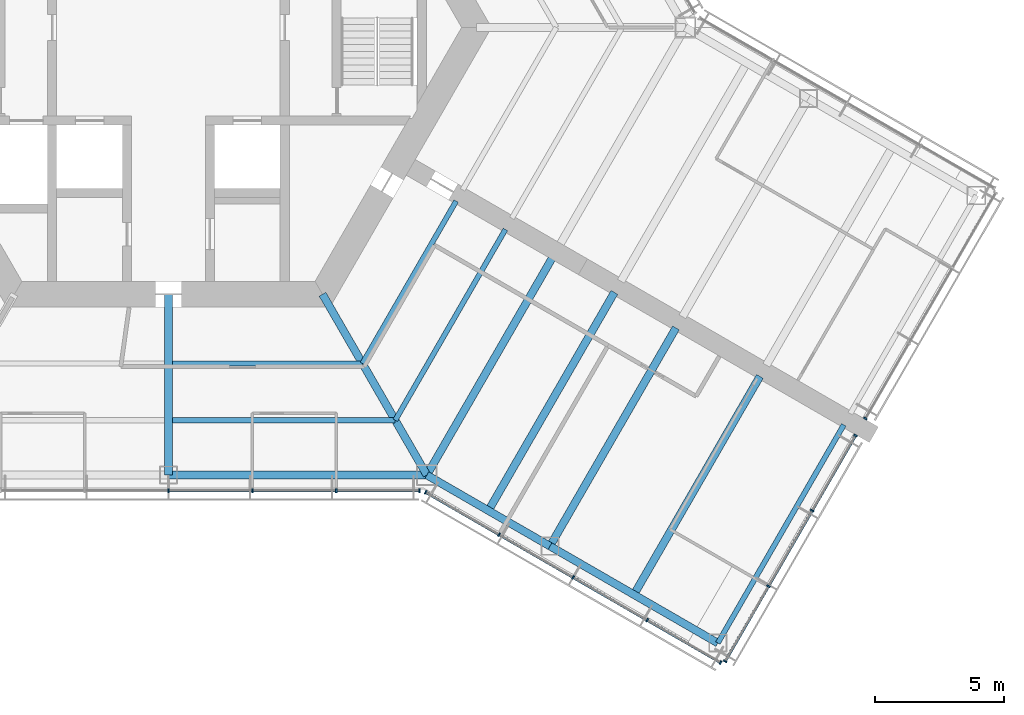
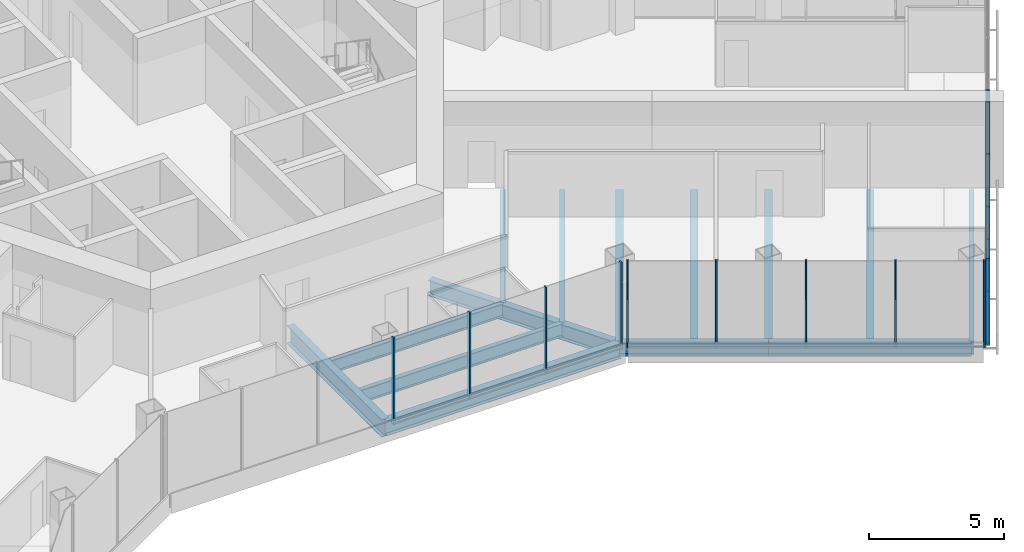
# One storey, part 5 of 18: 24 members, 14 beams, 4 elements without a shape of their own.
"""IFC4 building model written with IfcOpenShell, lengths in metres."""

from ifc_helpers import new_model, si_unit, direction, frame, origin, origin_2d, place, context, subcontext, project, spatial, rectangle, i_section, extrude, material, material_profile, profile_set, type_object, element, aggregate, save


model = new_model("IFC4")

# Units and contexts
model_context = context("Model", 3, precision=1e-05, world=origin(), true_north=direction((0.0, 1.0)))
body_context = subcontext(model_context, "Body", "Model", "MODEL_VIEW")
ifc_project = project(units=[si_unit("LENGTHUNIT", "METRE"), si_unit("AREAUNIT", "SQUARE_METRE"), si_unit("VOLUMEUNIT", "CUBIC_METRE"), si_unit("PLANEANGLEUNIT", "RADIAN"), si_unit("MASSUNIT", "GRAM", prefix="KILO")], contexts=[model_context])

# Site, building, storey
site_placement = place(None, origin())
site = spatial("IfcSite", under=ifc_project, at=site_placement, CompositionType="ELEMENT")
building_placement = place(site_placement, origin())
building = spatial("IfcBuilding", under=site, at=building_placement, Name="Kasaneha Research Tower", CompositionType="ELEMENT")
storey_placement = place(building_placement, frame((0.0, 0.0, 179.89990234375)))
storey = spatial("IfcBuildingStorey", under=building, at=storey_placement, Name="L45", CompositionType="ELEMENT", Elevation=179.89990234375)

# Beams
ifc_material_1 = material(Name="Steel SN490B", Category="steel")
ifc_material_profile_1 = material_profile(ifc_material_1, i_section(OverallWidth=0.199951171875, OverallDepth=0.60009765625, WebThickness=0.010986328125, FlangeThickness=0.01708984375, FilletRadius=0.012939453125, at=origin_2d()), Name="H-600x200x11x17")
ifc_profile_set_1 = profile_set([ifc_material_profile_1], Name="Steel SN490B")
beam_type_1 = type_object("IfcBeamType", Name="B1-3 secondary beam H-600x200x11x17", PredefinedType="JOIST", material=ifc_profile_set_1)
beam_1_placement = place(storey_placement, frame((7.505615234375, -13.0, -0.449951171875), z_axis=(-1.0, 0.0, 0.0), x_axis=(0.0, -1.0, 0.0)))
element("IfcBeam", 1, at=beam_1_placement, inside=storey, type_object=beam_type_1, Name="Secondary beam RS270R1 L45", PredefinedType="JOIST", context=body_context, shape_type="SweptSolid", body=[
    extrude(i_section(OverallWidth=0.199951171875, OverallDepth=0.60009765625, WebThickness=0.010986328125, FlangeThickness=0.01708984375, FilletRadius=0.012939453125, at=origin_2d()), origin(), (0.0, 0.0, 1.0), 7.355712890625),
])
beam_2_placement = place(storey_placement, frame((8.775634765625, -15.199951171875, -0.449951171875), z_axis=(-1.0, 0.0, 0.0), x_axis=(0.0, -1.0, 0.0)))
element("IfcBeam", 2, at=beam_2_placement, inside=storey, type_object=beam_type_1, Name="Secondary beam RS270R2 L45", PredefinedType="JOIST", context=body_context, shape_type="SweptSolid", body=[
    extrude(i_section(OverallWidth=0.199951171875, OverallDepth=0.60009765625, WebThickness=0.010986328125, FlangeThickness=0.01708984375, FilletRadius=0.012939453125, at=origin_2d()), origin(), (0.0, 0.0, 1.0), 8.625732421875),
])
beam_3_placement = place(storey_placement, frame((7.505615234375, -13.0, -0.449951171875), z_axis=(0.499993340521, 0.866029248602, 0.0), x_axis=(-0.866029248602, 0.499993340521, 0.0)))
element("IfcBeam", 3, at=beam_3_placement, inside=storey, type_object=beam_type_1, Name="Secondary beam RS330L1 L45", PredefinedType="JOIST", context=body_context, shape_type="SweptSolid", body=[
    extrude(i_section(OverallWidth=0.199951171875, OverallDepth=0.60009765625, WebThickness=0.010986328125, FlangeThickness=0.01708984375, FilletRadius=0.012939453125, at=origin_2d()), origin(), (0.0, 0.0, 1.0), 7.25537109375),
])
beam_4_placement = place(storey_placement, frame((8.775634765625, -15.199951171875, -0.449951171875), z_axis=(0.500004205306, 0.866022975836, 0.0), x_axis=(-0.866022975836, 0.500004205306, 0.0)))
element("IfcBeam", 4, at=beam_4_placement, inside=storey, type_object=beam_type_1, Name="Secondary beam RS330L2 L45", PredefinedType="JOIST", context=body_context, shape_type="SweptSolid", body=[
    extrude(i_section(OverallWidth=0.199951171875, OverallDepth=0.60009765625, WebThickness=0.010986328125, FlangeThickness=0.01708984375, FilletRadius=0.012939453125, at=origin_2d()), origin(), (0.0, 0.0, 1.0), 8.52587890625),
])
ifc_material_2 = material(Name="Steel SN490B", Category="steel")
ifc_material_profile_2 = material_profile(ifc_material_2, i_section(OverallWidth=0.300048828125, OverallDepth=0.58203125, WebThickness=0.011962890625, FlangeThickness=0.01708984375, FilletRadius=0.012939453125, at=origin_2d()), Name="H-582x300x12x17")
ifc_profile_set_2 = profile_set([ifc_material_profile_2], Name="Steel SN490B")
beam_type_2 = type_object("IfcBeamType", Name="B2-3 secondary beam H-582x300x12x17", PredefinedType="JOIST", material=ifc_profile_set_2)
for number, where, z_axis, x_axis, name in (
    (5, (12.381591796875, -18.695556640625, -0.44091796875), (0.499995560238, 0.866027967067, 0.0), (-0.866027967067, 0.499995560238, 0.0), "Secondary beam WBCP1 L45"),
    (6, (18.0107421875, -21.945556640625, -0.44091796875), (0.499995560238, 0.866027967067, 0.0), (-0.866027967067, 0.499995560238, 0.0), "Secondary beam WBCP2 L45"),
):
    element("IfcBeam", number, at=place(storey_placement, frame(where, z_axis=z_axis, x_axis=x_axis)), inside=storey, type_object=beam_type_2, Name=name, PredefinedType="JOIST", context=body_context, shape_type="SweptSolid", body=[
        extrude(i_section(OverallWidth=0.300048828125, OverallDepth=0.58203125, WebThickness=0.011962890625, FlangeThickness=0.01708984375, FilletRadius=0.012939453125, at=origin_2d()), origin(), (0.0, 0.0, 1.0), 9.75),
    ])

# Curtain wall, members
ifc_material_3 = material(Name="Glass and aluminium", Category="aluminium")
curtain_wall_type = type_object("IfcCurtainWallType", Name="Mid-rise office curtain wall", PredefinedType="USERDEFINED", material=ifc_material_3)
curtain_wall_1_placement = place(storey_placement, origin())
curtain_wall_1 = element("IfcCurtainWall", 7, at=curtain_wall_1_placement, inside=storey, type_object=curtain_wall_type, Name="CW-O2 L45 run 01a", ObjectType="UNITISED CURTAIN WALL", PredefinedType="USERDEFINED")
ifc_material_4 = material(Name="Aluminium 6063-T6", Category="aluminium")
ifc_material_profile_3 = material_profile(ifc_material_4, rectangle(XDim=0.06005859375, YDim=0.14990234375, at=origin_2d()), Name="CW-O2 mullion 60x150")
ifc_profile_set_3 = profile_set([ifc_material_profile_3], Name="Aluminium 6063-T6")
member_type_1 = type_object("IfcMemberType", Name="CW-O2 mullion", PredefinedType="MULLION", material=ifc_profile_set_3)
member_1_placement = place(storey_placement, frame((0.0, -17.92041015625, 0.0), z_axis=(0.0, 0.0, 1.0), x_axis=(1.0, 0.0, 0.0)))
member_1 = element("IfcMember", 8, at=member_1_placement, type_object=member_type_1, Name="CW-O2 mullion 4", PredefinedType="MULLION", context=body_context, shape_type="SweptSolid", body=[
    extrude(rectangle(XDim=0.06005859375, YDim=0.14990234375, at=origin_2d()), origin(), (0.0, 0.0, 1.0), 3.900146484375),
])
member_2_placement = place(storey_placement, frame((3.246337890625, -17.92041015625, 0.0), z_axis=(0.0, 0.0, 1.0), x_axis=(1.0, 0.0, 0.0)))
member_2 = element("IfcMember", 9, at=member_2_placement, type_object=member_type_1, Name="CW-O2 mullion 5", PredefinedType="MULLION", context=body_context, shape_type="SweptSolid", body=[
    extrude(rectangle(XDim=0.06005859375, YDim=0.14990234375, at=origin_2d()), origin(), (0.0, 0.0, 1.0), 3.900146484375),
])
member_3_placement = place(storey_placement, frame((6.492919921875, -17.92041015625, 0.0), z_axis=(0.0, 0.0, 1.0), x_axis=(1.0, 0.0, 0.0)))
member_3 = element("IfcMember", 10, at=member_3_placement, type_object=member_type_1, Name="CW-O2 mullion 6", PredefinedType="MULLION", context=body_context, shape_type="SweptSolid", body=[
    extrude(rectangle(XDim=0.06005859375, YDim=0.14990234375, at=origin_2d()), origin(), (0.0, 0.0, 1.0), 3.900146484375),
])
member_4_placement = place(storey_placement, frame((9.709228515625, -17.92041015625, 0.0), z_axis=(0.0, 0.0, 1.0), x_axis=(1.0, 0.0, 0.0)))
member_4 = element("IfcMember", 11, at=member_4_placement, type_object=member_type_1, Name="CW-O2 mullion 7", PredefinedType="MULLION", context=body_context, shape_type="SweptSolid", body=[
    extrude(rectangle(XDim=0.06005859375, YDim=0.14990234375, at=origin_2d()), origin(), (0.0, 0.0, 1.0), 3.900146484375),
])

curtain_wall_2_placement = place(storey_placement, origin())
curtain_wall_2 = element("IfcCurtainWall", 12, at=curtain_wall_2_placement, inside=storey, type_object=curtain_wall_type, Name="CW-O2 L45 run 02a", ObjectType="UNITISED CURTAIN WALL", PredefinedType="USERDEFINED")
member_5_placement = place(storey_placement, frame((9.951904296875, -17.985595703125, 0.0), z_axis=(0.0, 0.0, 1.0), x_axis=(0.866025411464, -0.499999986699, 0.0)))
member_5 = element("IfcMember", 13, at=member_5_placement, type_object=member_type_1, Name="CW-O2 mullion 1", PredefinedType="MULLION", context=body_context, shape_type="SweptSolid", body=[
    extrude(rectangle(XDim=0.06005859375, YDim=0.14990234375, at=origin_2d()), origin(), (0.0, 0.0, 1.0), 3.900146484375),
])
member_6_placement = place(storey_placement, frame((12.792236328125, -19.62548828125, 0.0), z_axis=(0.0, 0.0, 1.0), x_axis=(0.866025411464, -0.499999986699, 0.0)))
member_6 = element("IfcMember", 14, at=member_6_placement, type_object=member_type_1, Name="CW-O2 mullion 2", PredefinedType="MULLION", context=body_context, shape_type="SweptSolid", body=[
    extrude(rectangle(XDim=0.06005859375, YDim=0.14990234375, at=origin_2d()), origin(), (0.0, 0.0, 1.0), 3.900146484375),
])
member_7_placement = place(storey_placement, frame((15.65869140625, -21.2802734375, 0.0), z_axis=(0.0, 0.0, 1.0), x_axis=(0.866025411464, -0.499999986699, 0.0)))
member_7 = element("IfcMember", 15, at=member_7_placement, type_object=member_type_1, Name="CW-O2 mullion 3", PredefinedType="MULLION", context=body_context, shape_type="SweptSolid", body=[
    extrude(rectangle(XDim=0.06005859375, YDim=0.14990234375, at=origin_2d()), origin(), (0.0, 0.0, 1.0), 3.900146484375),
])
member_8_placement = place(storey_placement, frame((18.52490234375, -22.935302734375, 0.0), z_axis=(0.0, 0.0, 1.0), x_axis=(0.866025411464, -0.499999986699, 0.0)))
member_8 = element("IfcMember", 16, at=member_8_placement, type_object=member_type_1, Name="CW-O2 mullion 4", PredefinedType="MULLION", context=body_context, shape_type="SweptSolid", body=[
    extrude(rectangle(XDim=0.06005859375, YDim=0.14990234375, at=origin_2d()), origin(), (0.0, 0.0, 1.0), 3.900146484375),
])
member_9_placement = place(storey_placement, frame((21.365478515625, -24.5751953125, 0.0), z_axis=(0.0, 0.0, 1.0), x_axis=(0.866025411464, -0.499999986699, 0.0)))
member_9 = element("IfcMember", 17, at=member_9_placement, type_object=member_type_1, Name="CW-O2 mullion 5", PredefinedType="MULLION", context=body_context, shape_type="SweptSolid", body=[
    extrude(rectangle(XDim=0.06005859375, YDim=0.14990234375, at=origin_2d()), origin(), (0.0, 0.0, 1.0), 3.900146484375),
])

curtain_wall_3_placement = place(storey_placement, origin())
curtain_wall_3 = element("IfcCurtainWall", 18, at=curtain_wall_3_placement, inside=storey, type_object=curtain_wall_type, Name="CW-O2 L45 run 03a", ObjectType="UNITISED CURTAIN WALL", PredefinedType="USERDEFINED")
member_10_placement = place(storey_placement, frame((21.54296875, -24.527587890625, 0.0), z_axis=(0.0, 0.0, 1.0), x_axis=(0.500000011442, 0.866025397178, 0.0)))
member_10 = element("IfcMember", 19, at=member_10_placement, type_object=member_type_1, Name="CW-O2 mullion 1", PredefinedType="MULLION", context=body_context, shape_type="SweptSolid", body=[
    extrude(rectangle(XDim=0.06005859375, YDim=0.14990234375, at=origin_2d()), origin(), (0.0, 0.0, 1.0), 3.900146484375),
])
member_11_placement = place(storey_placement, frame((23.2197265625, -21.62353515625, 0.0), z_axis=(0.0, 0.0, 1.0), x_axis=(0.500000011442, 0.866025397178, 0.0)))
member_11 = element("IfcMember", 20, at=member_11_placement, type_object=member_type_1, Name="CW-O2 mullion 2", PredefinedType="MULLION", context=body_context, shape_type="SweptSolid", body=[
    extrude(rectangle(XDim=0.06005859375, YDim=0.14990234375, at=origin_2d()), origin(), (0.0, 0.0, 1.0), 3.900146484375),
])
member_12_placement = place(storey_placement, frame((24.911376953125, -18.693359375, 0.0), z_axis=(0.0, 0.0, 1.0), x_axis=(0.500000011442, 0.866025397178, 0.0)))
member_12 = element("IfcMember", 21, at=member_12_placement, type_object=member_type_1, Name="CW-O2 mullion 3", PredefinedType="MULLION", context=body_context, shape_type="SweptSolid", body=[
    extrude(rectangle(XDim=0.06005859375, YDim=0.14990234375, at=origin_2d()), origin(), (0.0, 0.0, 1.0), 3.900146484375),
])
member_13_placement = place(storey_placement, frame((26.587890625, -15.789306640625, 0.0), z_axis=(0.0, 0.0, 1.0), x_axis=(0.500000011442, 0.866025397178, 0.0)))
member_13 = element("IfcMember", 22, at=member_13_placement, type_object=member_type_1, Name="CW-O2 mullion 4", PredefinedType="MULLION", context=body_context, shape_type="SweptSolid", body=[
    extrude(rectangle(XDim=0.06005859375, YDim=0.14990234375, at=origin_2d()), origin(), (0.0, 0.0, 1.0), 3.900146484375),
])

# Curtain wall, member
curtain_wall_4_placement = place(storey_placement, origin())
curtain_wall_4 = element("IfcCurtainWall", 23, at=curtain_wall_4_placement, inside=storey, type_object=curtain_wall_type, Name="CW-O2 L45 run 04a", ObjectType="UNITISED CURTAIN WALL", PredefinedType="USERDEFINED")
member_14_placement = place(storey_placement, frame((26.968017578125, -15.131103515625, 0.0), z_axis=(0.0, 0.0, 1.0), x_axis=(0.500000011442, 0.866025397178, 0.0)))
member_14 = element("IfcMember", 24, at=member_14_placement, type_object=member_type_1, Name="CW-O2 mullion 1", PredefinedType="MULLION", context=body_context, shape_type="SweptSolid", body=[
    extrude(rectangle(XDim=0.06005859375, YDim=0.14990234375, at=origin_2d()), origin(), (0.0, 0.0, 1.0), 3.900146484375),
])
aggregate(curtain_wall_4, [member_14])

# Member
ifc_material_5 = material(Name="Aluminium 6063-T6", Category="aluminium")
ifc_material_profile_4 = material_profile(ifc_material_5, rectangle(XDim=0.110107421875, YDim=0.06005859375, at=origin_2d()), Name="CW-O2 transom 110x60")
ifc_profile_set_4 = profile_set([ifc_material_profile_4], Name="Aluminium 6063-T6")
member_type_2 = type_object("IfcMemberType", Name="CW-O2 transom", PredefinedType="USERDEFINED", material=ifc_profile_set_4)
member_15_placement = place(storey_placement, frame((0.030029296875, -17.92041015625, 0.030029296875), z_axis=(1.0, 0.0, 0.0), x_axis=(0.0, 1.0, 0.0)))
member_15 = element("IfcMember", 25, at=member_15_placement, type_object=member_type_2, Name="CW-O2 transom 4", ObjectType="TRANSOM", PredefinedType="USERDEFINED", context=body_context, shape_type="SweptSolid", body=[
    extrude(rectangle(XDim=0.110107421875, YDim=0.06005859375, at=origin_2d()), origin(), (0.0, 0.0, 1.0), 3.186279296875),
])

member_16_placement = place(storey_placement, frame((3.2763671875, -17.92041015625, 0.030029296875), z_axis=(1.0, 0.0, 0.0), x_axis=(0.0, 1.0, 0.0)))
member_16 = element("IfcMember", 26, at=member_16_placement, type_object=member_type_2, Name="CW-O2 transom 5", ObjectType="TRANSOM", PredefinedType="USERDEFINED", context=body_context, shape_type="SweptSolid", body=[
    extrude(rectangle(XDim=0.110107421875, YDim=0.06005859375, at=origin_2d()), origin(), (0.0, 0.0, 1.0), 3.1865234375),
])

member_17_placement = place(storey_placement, frame((6.522705078125, -17.92041015625, 0.030029296875), z_axis=(1.0, 0.0, 0.0), x_axis=(0.0, 1.0, 0.0)))
member_17 = element("IfcMember", 27, at=member_17_placement, type_object=member_type_2, Name="CW-O2 transom 6", ObjectType="TRANSOM", PredefinedType="USERDEFINED", context=body_context, shape_type="SweptSolid", body=[
    extrude(rectangle(XDim=0.110107421875, YDim=0.06005859375, at=origin_2d()), origin(), (0.0, 0.0, 1.0), 3.156494140625),
])

aggregate(curtain_wall_1, [member_1, member_2, member_3, member_4, member_15, member_16, member_17])

member_18_placement = place(storey_placement, frame((9.977783203125, -18.00048828125, 0.030029296875), z_axis=(0.866022692473, -0.500004696101, 0.0), x_axis=(0.500004696101, 0.866022692473, 0.0)))
member_18 = element("IfcMember", 28, at=member_18_placement, type_object=member_type_2, Name="CW-O2 transom 1", ObjectType="TRANSOM", PredefinedType="USERDEFINED", context=body_context, shape_type="SweptSolid", body=[
    extrude(rectangle(XDim=0.110107421875, YDim=0.06005859375, at=origin_2d()), origin(), (0.0, 0.0, 1.0), 3.2197265625),
])

member_19_placement = place(storey_placement, frame((12.818115234375, -19.640380859375, 0.030029296875), z_axis=(0.866015446554, -0.500017246033, 0.0), x_axis=(0.500017246033, 0.866015446554, 0.0)))
member_19 = element("IfcMember", 29, at=member_19_placement, type_object=member_type_2, Name="CW-O2 transom 2", ObjectType="TRANSOM", PredefinedType="USERDEFINED", context=body_context, shape_type="SweptSolid", body=[
    extrude(rectangle(XDim=0.110107421875, YDim=0.06005859375, at=origin_2d()), origin(), (0.0, 0.0, 1.0), 3.25),
])

member_20_placement = place(storey_placement, frame((15.6845703125, -21.29541015625, 0.030029296875), z_axis=(0.86604797581, -0.499960902066, 0.0), x_axis=(0.499960902066, 0.86604797581, 0.0)))
member_20 = element("IfcMember", 30, at=member_20_placement, type_object=member_type_2, Name="CW-O2 transom 3", ObjectType="TRANSOM", PredefinedType="USERDEFINED", context=body_context, shape_type="SweptSolid", body=[
    extrude(rectangle(XDim=0.110107421875, YDim=0.06005859375, at=origin_2d()), origin(), (0.0, 0.0, 1.0), 3.249755859375),
])

member_21_placement = place(storey_placement, frame((18.551025390625, -22.9501953125, 0.030029296875), z_axis=(0.866022692473, -0.500004696101, 0.0), x_axis=(0.500004696101, 0.866022692473, 0.0)))
member_21 = element("IfcMember", 31, at=member_21_placement, type_object=member_type_2, Name="CW-O2 transom 4", ObjectType="TRANSOM", PredefinedType="USERDEFINED", context=body_context, shape_type="SweptSolid", body=[
    extrude(rectangle(XDim=0.110107421875, YDim=0.06005859375, at=origin_2d()), origin(), (0.0, 0.0, 1.0), 3.2197265625),
])

aggregate(curtain_wall_2, [member_5, member_6, member_7, member_8, member_9, member_18, member_19, member_20, member_21])

member_22_placement = place(storey_placement, frame((21.557861328125, -24.50146484375, 0.030029296875), z_axis=(0.500021914551, 0.866012751043, 0.0), x_axis=(-0.866012751043, 0.500021914551, 0.0)))
member_22 = element("IfcMember", 32, at=member_22_placement, type_object=member_type_2, Name="CW-O2 transom 1", ObjectType="TRANSOM", PredefinedType="USERDEFINED", context=body_context, shape_type="SweptSolid", body=[
    extrude(rectangle(XDim=0.110107421875, YDim=0.06005859375, at=origin_2d()), origin(), (0.0, 0.0, 1.0), 3.293212890625),
])

member_23_placement = place(storey_placement, frame((23.234619140625, -21.597412109375, 0.030029296875), z_axis=(0.500010745865, 0.866019199568, 0.0), x_axis=(-0.866019199568, 0.500010745865, 0.0)))
member_23 = element("IfcMember", 33, at=member_23_placement, type_object=member_type_2, Name="CW-O2 transom 2", ObjectType="TRANSOM", PredefinedType="USERDEFINED", context=body_context, shape_type="SweptSolid", body=[
    extrude(rectangle(XDim=0.110107421875, YDim=0.06005859375, at=origin_2d()), origin(), (0.0, 0.0, 1.0), 3.3232421875),
])

member_24_placement = place(storey_placement, frame((24.92626953125, -18.66748046875, 0.030029296875), z_axis=(0.500021914551, 0.866012751043, 0.0), x_axis=(-0.866012751043, 0.500021914551, 0.0)))
member_24 = element("IfcMember", 34, at=member_24_placement, type_object=member_type_2, Name="CW-O2 transom 3", ObjectType="TRANSOM", PredefinedType="USERDEFINED", context=body_context, shape_type="SweptSolid", body=[
    extrude(rectangle(XDim=0.110107421875, YDim=0.06005859375, at=origin_2d()), origin(), (0.0, 0.0, 1.0), 3.293212890625),
])

aggregate(curtain_wall_3, [member_10, member_11, member_12, member_13, member_22, member_23, member_24])

# Beams
ifc_material_6 = material(Name="Steel SN490B", Category="steel")
ifc_material_profile_5 = material_profile(ifc_material_6, i_section(OverallWidth=0.300048828125, OverallDepth=0.699951171875, WebThickness=0.012939453125, FlangeThickness=0.02392578125, FilletRadius=0.01806640625, at=origin_2d()), Name="H-700x300x13x24")
ifc_profile_set_5 = profile_set([ifc_material_profile_5], Name="Steel SN490B")
beam_type_3 = type_object("IfcBeamType", Name="G1-3 radial girder H-700x300x13x24", PredefinedType="BEAM", material=ifc_profile_set_5)
beam_5_placement = place(storey_placement, frame((5.961181640625, -10.324951171875, -0.5), z_axis=(0.49999105496, -0.866030568144, 0.0), x_axis=(0.866030568144, 0.49999105496, 0.0)))
element("IfcBeam", 35, at=beam_5_placement, inside=storey, type_object=beam_type_3, Name="Radial girder RV300 L45", PredefinedType="BEAM", context=body_context, shape_type="SweptSolid", body=[
    extrude(i_section(OverallWidth=0.300048828125, OverallDepth=0.699951171875, WebThickness=0.012939453125, FlangeThickness=0.02392578125, FilletRadius=0.01806640625, at=origin_2d()), origin(), (0.0, 0.0, 1.0), 8.077880859375),
])
ifc_material_7 = material(Name="Steel SN490B", Category="steel")
ifc_material_profile_6 = material_profile(ifc_material_7, i_section(OverallWidth=0.300048828125, OverallDepth=0.800048828125, WebThickness=0.013916015625, FlangeThickness=0.02587890625, FilletRadius=0.01806640625, at=origin_2d()), Name="H-800x300x14x26")
ifc_profile_set_6 = profile_set([ifc_material_profile_6], Name="Steel SN490B")
beam_type_4 = type_object("IfcBeamType", Name="G2-3 radial girder H-800x300x14x26", PredefinedType="BEAM", material=ifc_profile_set_6)
beam_6_placement = place(storey_placement, frame((0.0, -10.324951171875, -0.5498046875), z_axis=(0.0, -1.0, 0.0), x_axis=(1.0, 0.0, 0.0)))
element("IfcBeam", 36, at=beam_6_placement, inside=storey, type_object=beam_type_4, Name="Radial girder RM270 L45", PredefinedType="BEAM", context=body_context, shape_type="SweptSolid", body=[
    extrude(i_section(OverallWidth=0.300048828125, OverallDepth=0.800048828125, WebThickness=0.013916015625, FlangeThickness=0.02587890625, FilletRadius=0.01806640625, at=origin_2d()), origin(), (0.0, 0.0, 1.0), 6.99560546875),
])
ifc_material_8 = material(Name="Steel SN490B", Category="steel")
ifc_material_profile_7 = material_profile(ifc_material_8, i_section(OverallWidth=0.300048828125, OverallDepth=0.69189453125, WebThickness=0.012939453125, FlangeThickness=0.02001953125, FilletRadius=0.01806640625, at=origin_2d()), Name="H-692x300x13x20")
ifc_profile_set_7 = profile_set([ifc_material_profile_7], Name="Steel SN490B")
beam_type_5 = type_object("IfcBeamType", Name="G3-3 plate edge girder H-692x300x13x20", PredefinedType="BEAM", material=ifc_profile_set_7)
beam_7_placement = place(storey_placement, frame((10.0, -17.320556640625, -0.495849609375), z_axis=(0.499995560238, 0.866027967067, 0.0), x_axis=(-0.866027967067, 0.499995560238, 0.0)))
element("IfcBeam", 37, at=beam_7_placement, inside=storey, type_object=beam_type_5, Name="Plate edge girder PECP L45", PredefinedType="BEAM", context=body_context, shape_type="SweptSolid", body=[
    extrude(i_section(OverallWidth=0.300048828125, OverallDepth=0.69189453125, WebThickness=0.012939453125, FlangeThickness=0.02001953125, FilletRadius=0.01806640625, at=origin_2d()), origin(), (0.0, 0.0, 1.0), 9.75),
])
ifc_material_9 = material(Name="Steel SN490B", Category="steel")
ifc_material_profile_8 = material_profile(ifc_material_9, i_section(OverallWidth=0.300048828125, OverallDepth=0.699951171875, WebThickness=0.012939453125, FlangeThickness=0.02392578125, FilletRadius=0.01806640625, at=origin_2d()), Name="H-700x300x13x24")
ifc_profile_set_8 = profile_set([ifc_material_profile_8], Name="Steel SN490B")
beam_type_6 = type_object("IfcBeamType", Name="G4-3 wing girder H-700x300x13x24", PredefinedType="BEAM", material=ifc_profile_set_8)
beam_8_placement = place(storey_placement, frame((14.76318359375, -20.070556640625, -0.5), z_axis=(0.499995560238, 0.866027967067, 0.0), x_axis=(-0.866027967067, 0.499995560238, 0.0)))
element("IfcBeam", 38, at=beam_8_placement, inside=storey, type_object=beam_type_6, Name="Wing girder WGCP L45", PredefinedType="BEAM", context=body_context, shape_type="SweptSolid", body=[
    extrude(i_section(OverallWidth=0.300048828125, OverallDepth=0.699951171875, WebThickness=0.012939453125, FlangeThickness=0.02392578125, FilletRadius=0.01806640625, at=origin_2d()), origin(), (0.0, 0.0, 1.0), 9.75),
])
ifc_material_10 = material(Name="Steel SN490B", Category="steel")
ifc_material_profile_9 = material_profile(ifc_material_10, i_section(OverallWidth=0.300048828125, OverallDepth=0.69189453125, WebThickness=0.012939453125, FlangeThickness=0.02001953125, FilletRadius=0.01806640625, at=origin_2d()), Name="H-692x300x13x20")
ifc_profile_set_9 = profile_set([ifc_material_profile_9], Name="Steel SN490B")
beam_type_7 = type_object("IfcBeamType", Name="SB1-3 spandrel beam H-692x300x13x20", PredefinedType="SPANDREL", material=ifc_profile_set_9)
beam_9_placement = place(storey_placement, frame((10.0, -17.320556640625, -0.495849609375), z_axis=(-1.0, 0.0, 0.0), x_axis=(0.0, -1.0, 0.0)))
element("IfcBeam", 39, at=beam_9_placement, inside=storey, type_object=beam_type_7, Name="Spandrel beam SR270R L45", PredefinedType="SPANDREL", context=body_context, shape_type="SweptSolid", body=[
    extrude(i_section(OverallWidth=0.300048828125, OverallDepth=0.69189453125, WebThickness=0.012939453125, FlangeThickness=0.02001953125, FilletRadius=0.01806640625, at=origin_2d()), origin(), (0.0, 0.0, 1.0), 10.0),
])
ifc_material_11 = material(Name="Steel SN490B", Category="steel")
ifc_material_profile_10 = material_profile(ifc_material_11, i_section(OverallWidth=0.300048828125, OverallDepth=0.58203125, WebThickness=0.011962890625, FlangeThickness=0.01708984375, FilletRadius=0.012939453125, at=origin_2d()), Name="H-582x300x12x17")
ifc_profile_set_10 = profile_set([ifc_material_profile_10], Name="Steel SN490B")
beam_type_8 = type_object("IfcBeamType", Name="SB2-3 spandrel beam H-582x300x12x17", PredefinedType="SPANDREL", material=ifc_profile_set_10)
beam_10_placement = place(storey_placement, frame((10.0, -17.320556640625, -0.44091796875), z_axis=(0.866027397988, -0.499996545922, 0.0), x_axis=(0.499996545922, 0.866027397988, 0.0)))
element("IfcBeam", 40, at=beam_10_placement, inside=storey, type_object=beam_type_8, Name="Spandrel beam WSCP1 L45", PredefinedType="SPANDREL", context=body_context, shape_type="SweptSolid", body=[
    extrude(i_section(OverallWidth=0.300048828125, OverallDepth=0.58203125, WebThickness=0.011962890625, FlangeThickness=0.01708984375, FilletRadius=0.012939453125, at=origin_2d()), origin(), (0.0, 0.0, 1.0), 5.5),
])
beam_11_placement = place(storey_placement, frame((14.76318359375, -20.070556640625, -0.44091796875), z_axis=(0.866022959057, -0.500004234368, 0.0), x_axis=(0.500004234368, 0.866022959057, 0.0)))
element("IfcBeam", 41, at=beam_11_placement, inside=storey, type_object=beam_type_8, Name="Spandrel beam WSCP2 L45", PredefinedType="SPANDREL", context=body_context, shape_type="SweptSolid", body=[
    extrude(i_section(OverallWidth=0.300048828125, OverallDepth=0.58203125, WebThickness=0.011962890625, FlangeThickness=0.01708984375, FilletRadius=0.012939453125, at=origin_2d()), origin(), (0.0, 0.0, 1.0), 7.5),
])
ifc_material_12 = material(Name="Steel SN490B", Category="steel")
ifc_material_profile_11 = material_profile(ifc_material_12, i_section(OverallWidth=0.199951171875, OverallDepth=0.60009765625, WebThickness=0.010986328125, FlangeThickness=0.01708984375, FilletRadius=0.012939453125, at=origin_2d()), Name="H-600x200x11x17")
ifc_profile_set_11 = profile_set([ifc_material_profile_11], Name="Steel SN490B")
beam_type_9 = type_object("IfcBeamType", Name="SB3-3 spandrel beam H-600x200x11x17", PredefinedType="SPANDREL", material=ifc_profile_set_11)
beam_12_placement = place(storey_placement, frame((21.25830078125, -23.820556640625, -0.449951171875), z_axis=(0.499995560238, 0.866027967067, 0.0), x_axis=(-0.866027967067, 0.499995560238, 0.0)))
element("IfcBeam", 42, at=beam_12_placement, inside=storey, type_object=beam_type_9, Name="Spandrel beam WTCP L45", PredefinedType="SPANDREL", context=body_context, shape_type="SweptSolid", body=[
    extrude(i_section(OverallWidth=0.199951171875, OverallDepth=0.60009765625, WebThickness=0.010986328125, FlangeThickness=0.01708984375, FilletRadius=0.012939453125, at=origin_2d()), origin(), (0.0, 0.0, 1.0), 9.75),
])

save(model, "model.ifc")
